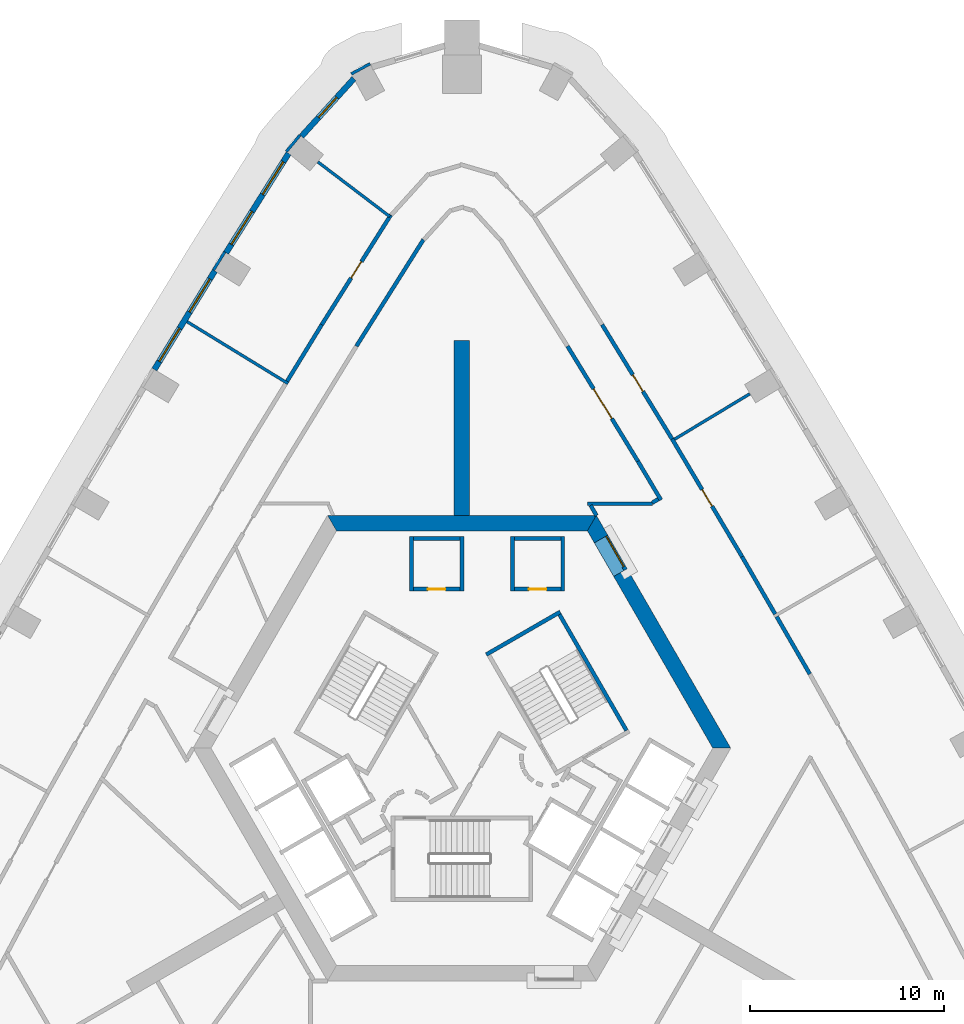
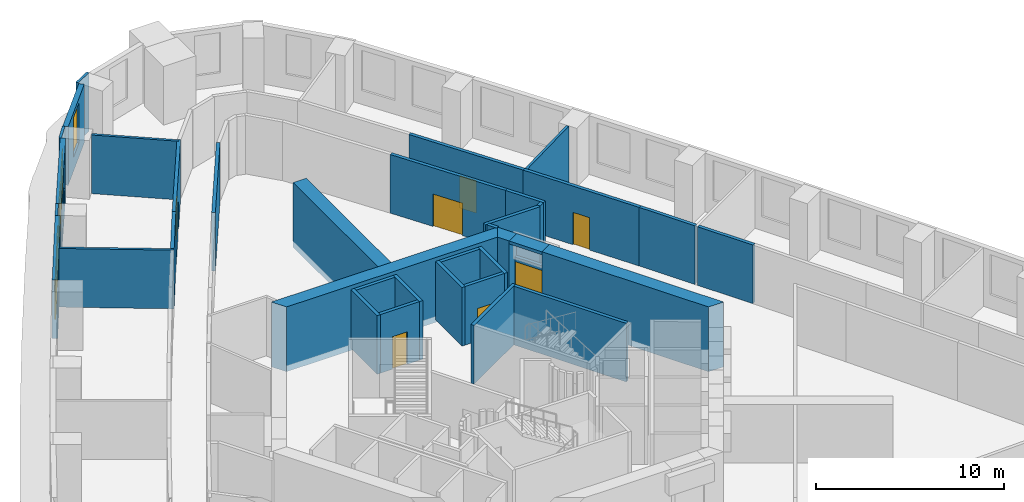
# One storey, part 9 of 17: 37 walls, 7 doors, 5 windows, 12 openings.
"""IFC4 building model written with IfcOpenShell, lengths in metres."""

from ifc_helpers import new_model, si_unit, direction, frame, frame_2d, origin, place, context, subcontext, project, spatial, polyline, rectangle, outline, extrude, material, layer, layer_set, type_object, element, fill, save


model = new_model("IFC4")

# Units and contexts
model_context = context("Model", 3, precision=1e-05, world=origin(), true_north=direction((0.0, 1.0)))
body_context = subcontext(model_context, "Body", "Model", "MODEL_VIEW")
ifc_project = project(units=[si_unit("LENGTHUNIT", "METRE"), si_unit("AREAUNIT", "SQUARE_METRE"), si_unit("VOLUMEUNIT", "CUBIC_METRE"), si_unit("PLANEANGLEUNIT", "RADIAN"), si_unit("MASSUNIT", "GRAM", prefix="KILO")], contexts=[model_context])

# Site, building, storey
site_placement = place(None, origin())
site = spatial("IfcSite", under=ifc_project, at=site_placement, CompositionType="ELEMENT")
building_placement = place(site_placement, origin())
building = spatial("IfcBuilding", under=site, at=building_placement, Name="Entoto Arch Interchange Tower", CompositionType="ELEMENT")
storey_placement = place(building_placement, frame((0.0, 0.0, 167.60009765625)))
storey = spatial("IfcBuildingStorey", under=building, at=storey_placement, Name="L37", CompositionType="ELEMENT", Elevation=167.60009765625)

# Wall
ifc_material_1 = material(Name="Concrete C50/60", Category="concrete")
ifc_layer_1 = layer(ifc_material_1, 0.800048828125)
ifc_layer_set_1 = layer_set([ifc_layer_1], Name="Concrete C50/60")
wall_type_1 = type_object("IfcWallType", Name="Buttress wall 800 C50/60", PredefinedType="SHEAR", material=ifc_layer_set_1)
wall_1_placement = place(storey_placement, frame((0.0, 14.5, -0.400146484375), z_axis=(0.0, 0.0, 1.0), x_axis=(0.0, 1.0, 0.0)))
element("IfcWall", 1, at=wall_1_placement, inside=storey, type_object=wall_type_1, Name="Buttress wall N L37", PredefinedType="SHEAR", context=body_context, shape_type="SweptSolid", body=[
    extrude(rectangle(XDim=9.0, YDim=0.800048828125, at=frame_2d((4.5, 0.0))), origin(), (0.0, 0.0, 1.0), 4.199951171875),
])

# Wall, opening, door
ifc_material_2 = material(Name="Reinforced concrete C40/50", Category="concrete")
ifc_layer_2 = layer(ifc_material_2, 0.199951171875)
ifc_layer_set_2 = layer_set([ifc_layer_2], Name="Reinforced concrete C40/50")
wall_type_2 = type_object("IfcWallType", Name="CORE GAP INFILL WALL", PredefinedType="PARTITIONING", material=ifc_layer_set_2)
wall_2_placement = place(storey_placement, frame((8.429931640625, 11.697998046875, 0.0), z_axis=(0.0, 0.0, 1.0), x_axis=(-0.50002537861, 0.866010750942, 0.0)))
wall_2 = element("IfcWall", 2, at=wall_2_placement, inside=storey, type_object=wall_type_2, Name="wall:L37:gap2", PredefinedType="PARTITIONING", context=body_context, shape_type="SweptSolid", body=[
    extrude(rectangle(XDim=2.0, YDim=0.199951171875, at=frame_2d((1.0, 0.0))), origin(), (0.0, 0.0, 1.0), 2.39990234375),
])
opening_1_placement = place(wall_2_placement, frame((0.18994140625, 0.0, 0.0)))
opening_1 = element("IfcOpeningElement", 3, at=opening_1_placement, cuts=wall_2, Name="Opening L37-D92", PredefinedType="OPENING", context=body_context, shape_type="SweptSolid", body=[
    extrude(rectangle(XDim=1.800048828125, YDim=2.10009765625, at=frame_2d((0.89990234375, 1.050048828125))), frame((0.0, 0.10986328125, 0.0), z_axis=(0.0, -1.0, 0.0), x_axis=(1.0, 0.0, 0.0)), (0.0, 0.0, 1.0), 0.219970703125),
])
ifc_material_3 = material(Name="Fire-rated Steel S235 door and frame", Category="steel")
door_type_1 = type_object("IfcDoorType", Name="DOOR FD-18 1800x2100", OperationType="DOUBLE_DOOR_SINGLE_SWING", PredefinedType="DOOR", material=ifc_material_3)
door_1_placement = place(opening_1_placement, origin())
door_1 = element("IfcDoor", 4, at=door_1_placement, inside=storey, type_object=door_type_1, Name="door:L37:gap2", OperationType="DOUBLE_DOOR_SINGLE_SWING", OverallHeight=2.10009765625, OverallWidth=1.800048828125, PredefinedType="DOOR", context=body_context, shape_type="SweptSolid", body=[
    extrude(rectangle(XDim=1.800048828125, YDim=2.10009765625, at=frame_2d((0.89990234375, 1.050048828125))), frame((0.0, 0.02490234375, 0.0), z_axis=(0.0, -1.0, 0.0), x_axis=(1.0, 0.0, 0.0)), (0.0, 0.0, 1.0), 0.050048828125),
])
fill(opening_1, door_1)

# Walls
ifc_layer_3 = layer(ifc_material_1, 0.800048828125)
ifc_layer_set_3 = layer_set([ifc_layer_3], Name="Concrete C50/60")
wall_type_3 = type_object("IfcWallType", Name="Core wall 800 C50/60", PredefinedType="SHEAR", material=ifc_layer_set_3)
wall_3_placement = place(storey_placement, frame((0.0, 0.0, -0.400146484375)))
element("IfcWall", 5, at=wall_3_placement, inside=storey, type_object=wall_type_3, Name="Core wall NE L37", PredefinedType="SHEAR", context=body_context, shape_type="SweptSolid", body=[
    extrude(outline(polyline([(8.51708984375, 11.748046875), (7.823974609375, 11.347900390625), (12.93310546875, 2.5), (13.85595703125, 2.5), (8.51708984375, 11.748046875)])), origin(), (0.0, 0.0, 1.0), 4.199951171875),
])
wall_4_placement = place(storey_placement, frame((0.0, 0.0, -0.400146484375)))
element("IfcWall", 6, at=wall_4_placement, inside=storey, type_object=wall_type_3, Name="Core wall NE L37", PredefinedType="SHEAR", context=body_context, shape_type="SweptSolid", body=[
    extrude(outline(polyline([(6.823974609375, 13.080078125), (7.51708984375, 13.47998046875), (6.927978515625, 14.5), (6.466064453125, 13.699951171875), (6.823974609375, 13.080078125)])), origin(), (0.0, 0.0, 1.0), 4.199951171875),
])
wall_5_placement = place(storey_placement, frame((0.0, 0.0, 3.599853515625)))
element("IfcWall", 7, at=wall_5_placement, inside=storey, type_object=wall_type_3, Name="Core wall lintel NE L37", PredefinedType="SHEAR", context=body_context, shape_type="SweptSolid", body=[
    extrude(outline(polyline([(7.51708984375, 13.47998046875), (6.823974609375, 13.080078125), (7.823974609375, 11.347900390625), (8.51708984375, 11.748046875), (7.51708984375, 13.47998046875)])), origin(), (0.0, 0.0, 1.0), 0.199951171875),
])
wall_6_placement = place(storey_placement, frame((0.0, 0.0, -0.400146484375)))
element("IfcWall", 8, at=wall_6_placement, inside=storey, type_object=wall_type_3, Name="Core wall N L37", PredefinedType="SHEAR", context=body_context, shape_type="SweptSolid", body=[
    extrude(outline(polyline([(6.927978515625, 14.5), (-6.927978515625, 14.5), (-6.466064453125, 13.699951171875), (6.466064453125, 13.699951171875), (6.927978515625, 14.5)])), origin(), (0.0, 0.0, 1.0), 4.199951171875),
])
ifc_material_4 = material(Name="Gypsum board partition on steel studs", Category="steel")
ifc_layer_4 = layer(ifc_material_4, 0.14990234375)
ifc_layer_set_4 = layer_set([ifc_layer_4], Name="Gypsum board partition on steel studs")
wall_type_4 = type_object("IfcWallType", Name="PARTITION 150", PredefinedType="PARTITIONING", material=ifc_layer_set_4)
wall_7_placement = place(storey_placement, frame((10.95703125, 18.4208984375, 0.0), z_axis=(0.0, 0.0, 1.0), x_axis=(0.85624931053, 0.516562792134, 0.0)))
element("IfcWall", 9, at=wall_7_placement, inside=storey, type_object=wall_type_4, Name="wall:L37:p138", PredefinedType="PARTITIONING", context=body_context, shape_type="SweptSolid", body=[
    extrude(rectangle(XDim=4.530029296875, YDim=0.14990234375, at=frame_2d((2.26513671875, 0.0))), origin(), (0.0, 0.0, 1.0), 3.7998046875),
])
wall_8_placement = place(storey_placement, frame((-3.716064453125, 29.89892578125, 0.0), z_axis=(0.0, 0.0, 1.0), x_axis=(-0.796435085709, 0.604724031481, 0.0)))
element("IfcWall", 10, at=wall_8_placement, inside=storey, type_object=wall_type_4, Name="wall:L37:p140", PredefinedType="PARTITIONING", context=body_context, shape_type="SweptSolid", body=[
    extrude(rectangle(XDim=4.6533203125, YDim=0.14990234375, at=frame_2d((2.32666015625, 0.0))), origin(), (0.0, 0.0, 1.0), 3.7998046875),
])
wall_9_placement = place(storey_placement, frame((-8.964111328125, 21.294921875, 0.0), z_axis=(0.0, 0.0, 1.0), x_axis=(-0.852835298101, 0.522180001832, 0.0)))
element("IfcWall", 11, at=wall_9_placement, inside=storey, type_object=wall_type_4, Name="wall:L37:p141", PredefinedType="PARTITIONING", context=body_context, shape_type="SweptSolid", body=[
    extrude(rectangle(XDim=6.099609375, YDim=0.14990234375, at=frame_2d((3.0498046875, 0.0))), origin(), (0.0, 0.0, 1.0), 3.7998046875),
])
ifc_layer_5 = layer(ifc_material_4, 0.199951171875)
ifc_layer_set_5 = layer_set([ifc_layer_5], Name="Gypsum board partition on steel studs")
wall_type_5 = type_object("IfcWallType", Name="PARTITION 200", PredefinedType="PARTITIONING", material=ifc_layer_set_5)
wall_10_placement = place(storey_placement, frame((6.93701171875, 14.488037109375, 0.0), z_axis=(0.0, 0.0, 1.0), x_axis=(-0.499908430952, 0.866078264744, 0.0)))
element("IfcWall", 12, at=wall_10_placement, inside=storey, type_object=wall_type_5, Name="wall:L37:p005", PredefinedType="PARTITIONING", context=body_context, shape_type="SweptSolid", body=[
    extrude(rectangle(XDim=0.60595703125, YDim=0.199951171875, at=frame_2d((0.302978515625, 0.0))), origin(), (0.0, 0.0, 1.0), 3.7998046875),
])
wall_11_placement = place(storey_placement, frame((6.48388671875, 15.10009765625, 0.0), z_axis=(0.0, 0.0, 1.0), x_axis=(1.0, 0.0, 0.0)))
element("IfcWall", 13, at=wall_11_placement, inside=storey, type_object=wall_type_5, Name="wall:L37:p006", PredefinedType="PARTITIONING", context=body_context, shape_type="SweptSolid", body=[
    extrude(rectangle(XDim=3.339111328125, YDim=0.199951171875, at=frame_2d((1.66943359375, 0.0))), origin(), (0.0, 0.0, 1.0), 3.7998046875),
])
wall_12_placement = place(storey_placement, frame((9.80908203125, 15.14990234375, 0.0), z_axis=(0.0, 0.0, 1.0), x_axis=(0.866479829667, 0.499212083968, 0.0)))
element("IfcWall", 14, at=wall_12_placement, inside=storey, type_object=wall_type_5, Name="wall:L37:p007", PredefinedType="PARTITIONING", context=body_context, shape_type="SweptSolid", body=[
    extrude(rectangle(XDim=0.35888671875, YDim=0.199951171875, at=frame_2d((0.179443359375, 0.0))), origin(), (0.0, 0.0, 1.0), 3.7998046875),
])
wall_13_placement = place(storey_placement, frame((10.257080078125, 15.29296875, 0.0), z_axis=(0.0, 0.0, 1.0), x_axis=(-0.510974411771, 0.859595922812, 0.0)))
element("IfcWall", 15, at=wall_13_placement, inside=storey, type_object=wall_type_5, Name="wall:L37:p008", PredefinedType="PARTITIONING", context=body_context, shape_type="SweptSolid", body=[
    extrude(rectangle(XDim=2.3173828125, YDim=0.199951171875, at=frame_2d((1.15869140625, 0.0))), origin(), (0.0, 0.0, 1.0), 3.7998046875),
])

# Wall, opening, door
wall_14_placement = place(storey_placement, frame((9.072998046875, 17.284912109375, 0.0), z_axis=(0.0, 0.0, 1.0), x_axis=(-0.522108536257, 0.85287905143, 0.0)))
wall_14 = element("IfcWall", 16, at=wall_14_placement, inside=storey, type_object=wall_type_5, Name="wall:L37:p009", PredefinedType="PARTITIONING", context=body_context, shape_type="SweptSolid", body=[
    extrude(rectangle(XDim=6.95654296875, YDim=0.199951171875, at=frame_2d((3.478271484375, 0.0))), origin(), (0.0, 0.0, 1.0), 3.7998046875),
])
opening_2_placement = place(wall_14_placement, frame((2.577880859375, 0.0, 0.0)))
opening_2 = element("IfcOpeningElement", 17, at=opening_2_placement, cuts=wall_14, Name="Opening L37-D16", PredefinedType="OPENING", context=body_context, shape_type="SweptSolid", body=[
    extrude(rectangle(XDim=1.800048828125, YDim=2.10009765625, at=frame_2d((0.89990234375, 1.050048828125))), frame((0.0, 0.10986328125, 0.0), z_axis=(0.0, -1.0, 0.0), x_axis=(1.0, 0.0, 0.0)), (0.0, 0.0, 1.0), 0.219970703125),
])
ifc_material_5 = material(Name="Timber door leaf in Steel S235 frame", Category="steel")
door_type_2 = type_object("IfcDoorType", Name="DOOR DD-18 1800x2100", OperationType="DOUBLE_DOOR_SINGLE_SWING", PredefinedType="DOOR", material=ifc_material_5)
door_2_placement = place(opening_2_placement, origin())
door_2 = element("IfcDoor", 18, at=door_2_placement, inside=storey, type_object=door_type_2, Name="door:L37:16", OperationType="DOUBLE_DOOR_SINGLE_SWING", OverallHeight=2.10009765625, OverallWidth=1.800048828125, PredefinedType="DOOR", context=body_context, shape_type="SweptSolid", body=[
    extrude(rectangle(XDim=1.800048828125, YDim=2.10009765625, at=frame_2d((0.89990234375, 1.050048828125))), frame((0.0, 0.02490234375, 0.0), z_axis=(0.0, -1.0, 0.0), x_axis=(1.0, 0.0, 0.0)), (0.0, 0.0, 1.0), 0.050048828125),
])
fill(opening_2, door_2)

# Walls
wall_15_placement = place(storey_placement, frame((-1.98388671875, 28.708984375, 0.0), z_axis=(0.0, 0.0, 1.0), x_axis=(-0.532786324951, -0.846249804694, 0.0)))
element("IfcWall", 19, at=wall_15_placement, inside=storey, type_object=wall_type_5, Name="wall:L37:p015", PredefinedType="PARTITIONING", context=body_context, shape_type="SweptSolid", body=[
    extrude(rectangle(XDim=6.488525390625, YDim=0.199951171875, at=frame_2d((3.244140625, 0.0))), origin(), (0.0, 0.0, 1.0), 3.7998046875),
])
wall_16_placement = place(storey_placement, frame((16.221923828125, 9.280029296875, 0.0), z_axis=(0.0, 0.0, 1.0), x_axis=(0.499920397431, -0.866071357471, 0.0)))
element("IfcWall", 20, at=wall_16_placement, inside=storey, type_object=wall_type_5, Name="wall:L37:p052", PredefinedType="PARTITIONING", context=body_context, shape_type="SweptSolid", body=[
    extrude(rectangle(XDim=3.41650390625, YDim=0.199951171875, at=frame_2d((1.708251953125, 0.0))), origin(), (0.0, 0.0, 1.0), 3.7998046875),
])

# Wall, opening, door
wall_17_placement = place(storey_placement, frame((10.8330078125, 18.43408203125, 0.0), z_axis=(0.0, 0.0, 1.0), x_axis=(0.510975915649, -0.859595028852, 0.0)))
wall_17 = element("IfcWall", 21, at=wall_17_placement, inside=storey, type_object=wall_type_5, Name="wall:L37:p055", PredefinedType="PARTITIONING", context=body_context, shape_type="SweptSolid", body=[
    extrude(rectangle(XDim=7.056884765625, YDim=0.199951171875, at=frame_2d((3.5283203125, 0.0))), origin(), (0.0, 0.0, 1.0), 3.7998046875),
])
opening_3_placement = place(wall_17_placement, frame((3.028076171875, 0.0, 0.0)))
opening_3 = element("IfcOpeningElement", 22, at=opening_3_placement, cuts=wall_17, Name="Opening L37-D05", PredefinedType="OPENING", context=body_context, shape_type="SweptSolid", body=[
    extrude(rectangle(XDim=1.0, YDim=2.10009765625, at=frame_2d((0.5, 1.050048828125))), frame((0.0, 0.10986328125, 0.0), z_axis=(0.0, -1.0, 0.0), x_axis=(1.0, 0.0, 0.0)), (0.0, 0.0, 1.0), 0.219970703125),
])
door_type_3 = type_object("IfcDoorType", Name="DOOR DS-10 1000x2100", OperationType="SINGLE_SWING_LEFT", PredefinedType="DOOR", material=ifc_material_5)
door_3_placement = place(opening_3_placement, origin())
door_3 = element("IfcDoor", 23, at=door_3_placement, inside=storey, type_object=door_type_3, Name="door:L37:05", OperationType="SINGLE_SWING_LEFT", OverallHeight=2.10009765625, OverallWidth=1.0, PredefinedType="DOOR", context=body_context, shape_type="SweptSolid", body=[
    extrude(rectangle(XDim=1.0, YDim=2.10009765625, at=frame_2d((0.5, 1.050048828125))), frame((0.0, 0.02490234375, 0.0), z_axis=(0.0, -1.0, 0.0), x_axis=(1.0, 0.0, 0.0)), (0.0, 0.0, 1.0), 0.050048828125),
])
fill(opening_3, door_3)

# Wall
wall_18_placement = place(storey_placement, frame((14.43896484375, 12.367919921875, 0.0), z_axis=(0.0, 0.0, 1.0), x_axis=(0.500044178772, -0.865999895656, 0.0)))
element("IfcWall", 24, at=wall_18_placement, inside=storey, type_object=wall_type_5, Name="wall:L37:p056", PredefinedType="PARTITIONING", context=body_context, shape_type="SweptSolid", body=[
    extrude(rectangle(XDim=3.415771484375, YDim=0.199951171875, at=frame_2d((1.7080078125, 0.0))), origin(), (0.0, 0.0, 1.0), 3.7998046875),
])

# Wall, opening, door
wall_19_placement = place(storey_placement, frame((7.22607421875, 24.325927734375, 0.0), z_axis=(0.0, 0.0, 1.0), x_axis=(0.52212028524, -0.852871858922, 0.0)))
wall_19 = element("IfcWall", 25, at=wall_19_placement, inside=storey, type_object=wall_type_5, Name="wall:L37:p058", PredefinedType="PARTITIONING", context=body_context, shape_type="SweptSolid", body=[
    extrude(rectangle(XDim=6.908203125, YDim=0.199951171875, at=frame_2d((3.4541015625, 0.0))), origin(), (0.0, 0.0, 1.0), 3.7998046875),
])
opening_4_placement = place(wall_19_placement, frame((3.029052734375, 0.0, 0.0)))
opening_4 = element("IfcOpeningElement", 26, at=opening_4_placement, cuts=wall_19, Name="Opening L37-D06", PredefinedType="OPENING", context=body_context, shape_type="SweptSolid", body=[
    extrude(rectangle(XDim=1.0, YDim=2.10009765625, at=frame_2d((0.5, 1.050048828125))), frame((0.0, 0.10986328125, 0.0), z_axis=(0.0, -1.0, 0.0), x_axis=(1.0, 0.0, 0.0)), (0.0, 0.0, 1.0), 0.219970703125),
])
door_4_placement = place(opening_4_placement, origin())
door_4 = element("IfcDoor", 27, at=door_4_placement, inside=storey, type_object=door_type_3, Name="door:L37:06", OperationType="SINGLE_SWING_RIGHT", OverallHeight=2.10009765625, OverallWidth=1.0, PredefinedType="DOOR", context=body_context, shape_type="SweptSolid", body=[
    extrude(rectangle(XDim=1.0, YDim=2.10009765625, at=frame_2d((0.5, 1.050048828125))), frame((0.0, 0.02490234375, 0.0), z_axis=(0.0, -1.0, 0.0), x_axis=(1.0, 0.0, 0.0)), (0.0, 0.0, 1.0), 0.050048828125),
])
fill(opening_4, door_4)

# Wall
wall_20_placement = place(storey_placement, frame((-9.010009765625, 21.410888671875, 0.0), z_axis=(0.0, 0.0, 1.0), x_axis=(0.52198736623, 0.852953216476, 0.0)))
element("IfcWall", 28, at=wall_20_placement, inside=storey, type_object=wall_type_5, Name="wall:L37:p063", PredefinedType="PARTITIONING", context=body_context, shape_type="SweptSolid", body=[
    extrude(rectangle(XDim=3.41748046875, YDim=0.199951171875, at=frame_2d((1.708740234375, 0.0))), origin(), (0.0, 0.0, 1.0), 3.7998046875),
])

# Wall, opening, door
wall_21_placement = place(storey_placement, frame((-7.22607421875, 24.325927734375, 0.0), z_axis=(0.0, 0.0, 1.0), x_axis=(0.532874279134, 0.846194423662, 0.0)))
wall_21 = element("IfcWall", 29, at=wall_21_placement, inside=storey, type_object=wall_type_5, Name="wall:L37:p064", PredefinedType="PARTITIONING", context=body_context, shape_type="SweptSolid", body=[
    extrude(rectangle(XDim=6.686279296875, YDim=0.199951171875, at=frame_2d((3.34326171875, 0.0))), origin(), (0.0, 0.0, 1.0), 3.7998046875),
])
opening_5_placement = place(wall_21_placement, frame((2.843017578125, 0.0, 0.0)))
opening_5 = element("IfcOpeningElement", 30, at=opening_5_placement, cuts=wall_21, Name="Opening L37-D08", PredefinedType="OPENING", context=body_context, shape_type="SweptSolid", body=[
    extrude(rectangle(XDim=1.0, YDim=2.10009765625, at=frame_2d((0.5, 1.050048828125))), frame((0.0, 0.10986328125, 0.0), z_axis=(0.0, -1.0, 0.0), x_axis=(1.0, 0.0, 0.0)), (0.0, 0.0, 1.0), 0.219970703125),
])
door_5_placement = place(opening_5_placement, origin())
door_5 = element("IfcDoor", 31, at=door_5_placement, inside=storey, type_object=door_type_3, Name="door:L37:08", OperationType="SINGLE_SWING_LEFT", OverallHeight=2.10009765625, OverallWidth=1.0, PredefinedType="DOOR", context=body_context, shape_type="SweptSolid", body=[
    extrude(rectangle(XDim=1.0, YDim=2.10009765625, at=frame_2d((0.5, 1.050048828125))), frame((0.0, 0.02490234375, 0.0), z_axis=(0.0, -1.0, 0.0), x_axis=(1.0, 0.0, 0.0)), (0.0, 0.0, 1.0), 0.050048828125),
])
fill(opening_5, door_5)

# Wall
wall_22_placement = place(storey_placement, frame((5.199951171875, 13.39990234375, 0.0), z_axis=(0.0, 0.0, 1.0), x_axis=(0.0, -1.0, 0.0)))
element("IfcWall", 32, at=wall_22_placement, inside=storey, type_object=wall_type_5, Name="wall:L37:p078", PredefinedType="PARTITIONING", context=body_context, shape_type="SweptSolid", body=[
    extrude(rectangle(XDim=2.7998046875, YDim=0.199951171875, at=frame_2d((1.39990234375, 0.0))), origin(), (0.0, 0.0, 1.0), 3.7998046875),
])

# Wall, opening, door
wall_23_placement = place(storey_placement, frame((5.10009765625, 10.699951171875, 0.0), z_axis=(0.0, 0.0, 1.0), x_axis=(-1.0, 0.0, 0.0)))
wall_23 = element("IfcWall", 33, at=wall_23_placement, inside=storey, type_object=wall_type_5, Name="wall:L37:p079", PredefinedType="PARTITIONING", context=body_context, shape_type="SweptSolid", body=[
    extrude(rectangle(XDim=2.400146484375, YDim=0.199951171875, at=frame_2d((1.2001953125, 0.0))), origin(), (0.0, 0.0, 1.0), 3.7998046875),
])
opening_6_placement = place(wall_23_placement, frame((0.75, 0.0, 0.0)))
opening_6 = element("IfcOpeningElement", 34, at=opening_6_placement, cuts=wall_23, Name="Opening L37-D27", PredefinedType="OPENING", context=body_context, shape_type="SweptSolid", body=[
    extrude(rectangle(XDim=0.89990234375, YDim=2.10009765625, at=frame_2d((0.449951171875, 1.050048828125))), frame((0.0, 0.10986328125, 0.0), z_axis=(0.0, -1.0, 0.0), x_axis=(1.0, 0.0, 0.0)), (0.0, 0.0, 1.0), 0.219970703125),
])
door_type_4 = type_object("IfcDoorType", Name="DOOR DS-09 900x2100", OperationType="SINGLE_SWING_LEFT", PredefinedType="DOOR", material=ifc_material_5)
door_6_placement = place(opening_6_placement, origin())
door_6 = element("IfcDoor", 35, at=door_6_placement, inside=storey, type_object=door_type_4, Name="door:L37:27", OperationType="SINGLE_SWING_RIGHT", OverallHeight=2.10009765625, OverallWidth=0.89990234375, PredefinedType="DOOR", context=body_context, shape_type="SweptSolid", body=[
    extrude(rectangle(XDim=0.89990234375, YDim=2.10009765625, at=frame_2d((0.449951171875, 1.050048828125))), frame((0.0, 0.02490234375, 0.0), z_axis=(0.0, -1.0, 0.0), x_axis=(1.0, 0.0, 0.0)), (0.0, 0.0, 1.0), 0.050048828125),
])
fill(opening_6, door_6)

# Walls
wall_24_placement = place(storey_placement, frame((2.60009765625, 10.60009765625, 0.0), z_axis=(0.0, 0.0, 1.0), x_axis=(0.0, 1.0, 0.0)))
element("IfcWall", 36, at=wall_24_placement, inside=storey, type_object=wall_type_5, Name="wall:L37:p080", PredefinedType="PARTITIONING", context=body_context, shape_type="SweptSolid", body=[
    extrude(rectangle(XDim=2.7998046875, YDim=0.199951171875, at=frame_2d((1.39990234375, 0.0))), origin(), (0.0, 0.0, 1.0), 3.7998046875),
])
wall_25_placement = place(storey_placement, frame((2.699951171875, 13.300048828125, 0.0), z_axis=(0.0, 0.0, 1.0), x_axis=(1.0, 0.0, 0.0)))
element("IfcWall", 37, at=wall_25_placement, inside=storey, type_object=wall_type_5, Name="wall:L37:p081", PredefinedType="PARTITIONING", context=body_context, shape_type="SweptSolid", body=[
    extrude(rectangle(XDim=2.400146484375, YDim=0.199951171875, at=frame_2d((1.2001953125, 0.0))), origin(), (0.0, 0.0, 1.0), 3.7998046875),
])
wall_26_placement = place(storey_placement, frame((0.0, 13.39990234375, 0.0), z_axis=(0.0, 0.0, 1.0), x_axis=(0.0, -1.0, 0.0)))
element("IfcWall", 38, at=wall_26_placement, inside=storey, type_object=wall_type_5, Name="wall:L37:p082", PredefinedType="PARTITIONING", context=body_context, shape_type="SweptSolid", body=[
    extrude(rectangle(XDim=2.7998046875, YDim=0.199951171875, at=frame_2d((1.39990234375, 0.0))), origin(), (0.0, 0.0, 1.0), 3.7998046875),
])

# Wall, opening, door
wall_27_placement = place(storey_placement, frame((-0.10009765625, 10.699951171875, 0.0), z_axis=(0.0, 0.0, 1.0), x_axis=(-1.0, 0.0, 0.0)))
wall_27 = element("IfcWall", 39, at=wall_27_placement, inside=storey, type_object=wall_type_5, Name="wall:L37:p083", PredefinedType="PARTITIONING", context=body_context, shape_type="SweptSolid", body=[
    extrude(rectangle(XDim=2.39990234375, YDim=0.199951171875, at=frame_2d((1.199951171875, 0.0))), origin(), (0.0, 0.0, 1.0), 3.7998046875),
])
opening_7_placement = place(wall_27_placement, frame((0.75, 0.0, 0.0)))
opening_7 = element("IfcOpeningElement", 40, at=opening_7_placement, cuts=wall_27, Name="Opening L37-D28", PredefinedType="OPENING", context=body_context, shape_type="SweptSolid", body=[
    extrude(rectangle(XDim=0.89990234375, YDim=2.10009765625, at=frame_2d((0.449951171875, 1.050048828125))), frame((0.0, 0.10986328125, 0.0), z_axis=(0.0, -1.0, 0.0), x_axis=(1.0, 0.0, 0.0)), (0.0, 0.0, 1.0), 0.219970703125),
])
door_7_placement = place(opening_7_placement, origin())
door_7 = element("IfcDoor", 41, at=door_7_placement, inside=storey, type_object=door_type_4, Name="door:L37:28", OperationType="SINGLE_SWING_RIGHT", OverallHeight=2.10009765625, OverallWidth=0.89990234375, PredefinedType="DOOR", context=body_context, shape_type="SweptSolid", body=[
    extrude(rectangle(XDim=0.89990234375, YDim=2.10009765625, at=frame_2d((0.449951171875, 1.050048828125))), frame((0.0, 0.02490234375, 0.0), z_axis=(0.0, -1.0, 0.0), x_axis=(1.0, 0.0, 0.0)), (0.0, 0.0, 1.0), 0.050048828125),
])
fill(opening_7, door_7)

# Walls
wall_28_placement = place(storey_placement, frame((-2.60009765625, 10.60009765625, 0.0), z_axis=(0.0, 0.0, 1.0), x_axis=(0.0, 1.0, 0.0)))
element("IfcWall", 42, at=wall_28_placement, inside=storey, type_object=wall_type_5, Name="wall:L37:p084", PredefinedType="PARTITIONING", context=body_context, shape_type="SweptSolid", body=[
    extrude(rectangle(XDim=2.7998046875, YDim=0.199951171875, at=frame_2d((1.39990234375, 0.0))), origin(), (0.0, 0.0, 1.0), 3.7998046875),
])
wall_29_placement = place(storey_placement, frame((-2.5, 13.300048828125, 0.0), z_axis=(0.0, 0.0, 1.0), x_axis=(1.0, 0.0, 0.0)))
element("IfcWall", 43, at=wall_29_placement, inside=storey, type_object=wall_type_5, Name="wall:L37:p085", PredefinedType="PARTITIONING", context=body_context, shape_type="SweptSolid", body=[
    extrude(rectangle(XDim=2.39990234375, YDim=0.199951171875, at=frame_2d((1.199951171875, 0.0))), origin(), (0.0, 0.0, 1.0), 3.7998046875),
])
ifc_material_6 = material(Name="Concrete C40/50", Category="concrete")
ifc_layer_6 = layer(ifc_material_6, 0.199951171875)
ifc_layer_set_6 = layer_set([ifc_layer_6], Name="Concrete C40/50")
wall_type_6 = type_object("IfcWallType", Name="STAIR ENCLOSURE WALL 200", PredefinedType="STANDARD", material=ifc_layer_set_6)
wall_30_placement = place(storey_placement, frame((1.256103515625, 7.323974609375, 0.0), z_axis=(0.0, 0.0, 1.0), x_axis=(0.866046073146, 0.499964197906, 0.0)))
element("IfcWall", 44, at=wall_30_placement, inside=storey, type_object=wall_type_6, Name="Stair wall ST-NE far", PredefinedType="STANDARD", context=body_context, shape_type="SweptSolid", body=[
    extrude(rectangle(XDim=4.400146484375, YDim=0.199951171875, at=frame_2d((2.2001953125, 0.0))), origin(), (0.0, 0.0, 1.0), 3.7998046875),
])
wall_31_placement = place(storey_placement, frame((8.47998046875, 3.412109375, 0.0), z_axis=(0.0, 0.0, 1.0), x_axis=(-0.499978703459, 0.866037698999, 0.0)))
element("IfcWall", 45, at=wall_31_placement, inside=storey, type_object=wall_type_6, Name="Stair wall ST-NE back", PredefinedType="STANDARD", context=body_context, shape_type="SweptSolid", body=[
    extrude(rectangle(XDim=6.900146484375, YDim=0.199951171875, at=frame_2d((3.4501953125, 0.0))), origin(), (0.0, 0.0, 1.0), 3.7998046875),
])

# Wall, opening, window
ifc_material_7 = material(Name="Welded tuff (ignimbrite) cladding, warm buff", Category="masonry")
ifc_layer_7 = layer(ifc_material_7, 0.300048828125)
ifc_layer_set_7 = layer_set([ifc_layer_7], Name="Welded tuff (ignimbrite) cladding, warm buff")
wall_type_7 = type_object("IfcWallType", Name="STONE INFILL WALL 300", PredefinedType="STANDARD", material=ifc_layer_set_7)
wall_32_placement = place(storey_placement, frame((-5.568115234375, 37.010009765625, 0.0), z_axis=(0.0, 0.0, 1.0), x_axis=(-0.672034341329, -0.740519982225, 0.0)))
wall_32 = element("IfcWall", 46, at=wall_32_placement, inside=storey, type_object=wall_type_7, Name="Facade wall N-04 L37", PredefinedType="STANDARD", context=body_context, shape_type="SweptSolid", body=[
    extrude(rectangle(XDim=4.017578125, YDim=0.300048828125, at=frame_2d((2.0087890625, 0.0))), origin(), (0.0, 0.0, 1.0), 3.7998046875),
])
opening_8_placement = place(wall_32_placement, frame((1.30908203125, 0.0, 0.89990234375)))
opening_8 = element("IfcOpeningElement", 47, at=opening_8_placement, cuts=wall_32, Name="Opening WO-B", PredefinedType="OPENING", context=body_context, shape_type="SweptSolid", body=[
    extrude(rectangle(XDim=1.39990234375, YDim=2.60009765625, at=frame_2d((0.699951171875, 1.300048828125))), frame((0.0, 0.16015625, 0.0), z_axis=(0.0, -1.0, 0.0), x_axis=(1.0, 0.0, 0.0)), (0.0, 0.0, 1.0), 0.320068359375),
])
ifc_material_8 = material(Name="Clear glass, low-e double glazed", Category="glass")
window_type_1 = type_object("IfcWindowType", Name="WINDOW WO-B 1400x2600", PartitioningType="DOUBLE_PANEL_VERTICAL", PredefinedType="WINDOW", material=ifc_material_8)
window_1_placement = place(opening_8_placement, origin())
window_1 = element("IfcWindow", 48, at=window_1_placement, inside=storey, type_object=window_type_1, Name="Window WO-B N-04 L37", OverallHeight=2.60009765625, OverallWidth=1.39990234375, PartitioningType="SINGLE_PANEL", PredefinedType="WINDOW", context=body_context, shape_type="SweptSolid", body=[
    extrude(rectangle(XDim=1.39990234375, YDim=2.60009765625, at=frame_2d((0.699951171875, 1.300048828125))), frame((0.0, 0.030029296875, 0.0), z_axis=(0.0, -1.0, 0.0), x_axis=(1.0, 0.0, 0.0)), (0.0, 0.0, 1.0), 0.06005859375),
])
fill(opening_8, window_1)

# Wall, openings, windows
wall_33_placement = place(storey_placement, frame((-8.931884765625, 33.158935546875, 0.0), z_axis=(0.0, 0.0, 1.0), x_axis=(-0.532721310512, -0.846290733334, 0.0)))
wall_33 = element("IfcWall", 49, at=wall_33_placement, inside=storey, type_object=wall_type_7, Name="Facade wall NW-01 L37", PredefinedType="STANDARD", context=body_context, shape_type="SweptSolid", body=[
    extrude(rectangle(XDim=6.055908203125, YDim=0.300048828125, at=frame_2d((3.02783203125, 0.0))), origin(), (0.0, 0.0, 1.0), 3.7998046875),
])
opening_9_placement = place(wall_33_placement, frame((0.513916015625, 0.0, 0.89990234375)))
opening_9 = element("IfcOpeningElement", 50, at=opening_9_placement, cuts=wall_33, Name="Opening WO-C", PredefinedType="OPENING", context=body_context, shape_type="SweptSolid", body=[
    extrude(rectangle(XDim=2.0, YDim=2.60009765625, at=frame_2d((1.0, 1.300048828125))), frame((0.0, 0.16015625, 0.0), z_axis=(0.0, -1.0, 0.0), x_axis=(1.0, 0.0, 0.0)), (0.0, 0.0, 1.0), 0.320068359375),
])
opening_10_placement = place(wall_33_placement, frame((3.5419921875, 0.0, 0.89990234375)))
opening_10 = element("IfcOpeningElement", 51, at=opening_10_placement, cuts=wall_33, Name="Opening WO-C", PredefinedType="OPENING", context=body_context, shape_type="SweptSolid", body=[
    extrude(rectangle(XDim=2.0, YDim=2.60009765625, at=frame_2d((1.0, 1.300048828125))), frame((0.0, 0.16015625, 0.0), z_axis=(0.0, -1.0, 0.0), x_axis=(1.0, 0.0, 0.0)), (0.0, 0.0, 1.0), 0.320068359375),
])
window_type_2 = type_object("IfcWindowType", Name="WINDOW WO-C 2000x2600", PartitioningType="DOUBLE_PANEL_VERTICAL", PredefinedType="WINDOW", material=ifc_material_8)
window_2_placement = place(opening_9_placement, origin())
window_2 = element("IfcWindow", 52, at=window_2_placement, inside=storey, type_object=window_type_2, Name="Window WO-C NW-01 L37", OverallHeight=2.60009765625, OverallWidth=2.0, PartitioningType="SINGLE_PANEL", PredefinedType="WINDOW", context=body_context, shape_type="SweptSolid", body=[
    extrude(rectangle(XDim=2.0, YDim=2.60009765625, at=frame_2d((1.0, 1.300048828125))), frame((0.0, 0.030029296875, 0.0), z_axis=(0.0, -1.0, 0.0), x_axis=(1.0, 0.0, 0.0)), (0.0, 0.0, 1.0), 0.06005859375),
])
fill(opening_9, window_2)
window_3_placement = place(opening_10_placement, origin())
window_3 = element("IfcWindow", 53, at=window_3_placement, inside=storey, type_object=window_type_2, Name="Window WO-C NW-01 L37", OverallHeight=2.60009765625, OverallWidth=2.0, PartitioningType="SINGLE_PANEL", PredefinedType="WINDOW", context=body_context, shape_type="SweptSolid", body=[
    extrude(rectangle(XDim=2.0, YDim=2.60009765625, at=frame_2d((1.0, 1.300048828125))), frame((0.0, 0.030029296875, 0.0), z_axis=(0.0, -1.0, 0.0), x_axis=(1.0, 0.0, 0.0)), (0.0, 0.0, 1.0), 0.06005859375),
])
fill(opening_10, window_3)

wall_34_placement = place(storey_placement, frame((-12.737060546875, 27.10107421875, 0.0), z_axis=(0.0, 0.0, 1.0), x_axis=(-0.522156898008, -0.852849443842, 0.0)))
wall_34 = element("IfcWall", 54, at=wall_34_placement, inside=storey, type_object=wall_type_7, Name="Facade wall NW-02 L37", PredefinedType="STANDARD", context=body_context, shape_type="SweptSolid", body=[
    extrude(rectangle(XDim=5.9638671875, YDim=0.300048828125, at=frame_2d((2.98193359375, 0.0))), origin(), (0.0, 0.0, 1.0), 3.7998046875),
])
opening_11_placement = place(wall_34_placement, frame((0.490966796875, 0.0, 0.89990234375)))
opening_11 = element("IfcOpeningElement", 55, at=opening_11_placement, cuts=wall_34, Name="Opening WO-C", PredefinedType="OPENING", context=body_context, shape_type="SweptSolid", body=[
    extrude(rectangle(XDim=2.0, YDim=2.60009765625, at=frame_2d((1.0, 1.300048828125))), frame((0.0, 0.16015625, 0.0), z_axis=(0.0, -1.0, 0.0), x_axis=(1.0, 0.0, 0.0)), (0.0, 0.0, 1.0), 0.320068359375),
])
opening_12_placement = place(wall_34_placement, frame((3.472900390625, 0.0, 0.89990234375)))
opening_12 = element("IfcOpeningElement", 56, at=opening_12_placement, cuts=wall_34, Name="Opening WO-C", PredefinedType="OPENING", context=body_context, shape_type="SweptSolid", body=[
    extrude(rectangle(XDim=2.0, YDim=2.60009765625, at=frame_2d((1.0, 1.300048828125))), frame((0.0, 0.16015625, 0.0), z_axis=(0.0, -1.0, 0.0), x_axis=(1.0, 0.0, 0.0)), (0.0, 0.0, 1.0), 0.320068359375),
])
window_4_placement = place(opening_11_placement, origin())
window_4 = element("IfcWindow", 57, at=window_4_placement, inside=storey, type_object=window_type_2, Name="Window WO-C NW-02 L37", OverallHeight=2.60009765625, OverallWidth=2.0, PartitioningType="SINGLE_PANEL", PredefinedType="WINDOW", context=body_context, shape_type="SweptSolid", body=[
    extrude(rectangle(XDim=2.0, YDim=2.60009765625, at=frame_2d((1.0, 1.300048828125))), frame((0.0, 0.030029296875, 0.0), z_axis=(0.0, -1.0, 0.0), x_axis=(1.0, 0.0, 0.0)), (0.0, 0.0, 1.0), 0.06005859375),
])
fill(opening_11, window_4)
window_5_placement = place(opening_12_placement, origin())
window_5 = element("IfcWindow", 58, at=window_5_placement, inside=storey, type_object=window_type_2, Name="Window WO-C NW-02 L37", OverallHeight=2.60009765625, OverallWidth=2.0, PartitioningType="SINGLE_PANEL", PredefinedType="WINDOW", context=body_context, shape_type="SweptSolid", body=[
    extrude(rectangle(XDim=2.0, YDim=2.60009765625, at=frame_2d((1.0, 1.300048828125))), frame((0.0, 0.030029296875, 0.0), z_axis=(0.0, -1.0, 0.0), x_axis=(1.0, 0.0, 0.0)), (0.0, 0.0, 1.0), 0.06005859375),
])
fill(opening_12, window_5)

# Walls
ifc_layer_8 = layer(ifc_material_7, 0.14990234375)
ifc_layer_set_8 = layer_set([ifc_layer_8], Name="Welded tuff (ignimbrite) cladding, warm buff")
wall_type_8 = type_object("IfcWallType", Name="STONE PIER CLADDING 150", PredefinedType="STANDARD", material=ifc_layer_set_8)
wall_35_placement = place(storey_placement, frame((-4.73388671875, 37.778076171875, 0.0), z_axis=(0.0, 0.0, 1.0), x_axis=(-0.877836219403, -0.478960929414, 0.0)))
element("IfcWall", 59, at=wall_35_placement, inside=storey, type_object=wall_type_8, Name="Stone pier N3 L37", PredefinedType="STANDARD", context=body_context, shape_type="SweptSolid", body=[
    extrude(rectangle(XDim=1.1005859375, YDim=0.14990234375, at=frame_2d((0.55029296875, 0.0))), origin(), (0.0, 0.0, 1.0), 3.7998046875),
])
for number, where, z_axis, x_axis, name in (
    (60, (-8.343994140625, 34.09912109375, 0.0), (0.0, 0.0, 1.0), (-0.639092407347, -0.769129959676, 0.0), "Stone pier NW01 L37"),
    (61, (-12.222900390625, 28.075927734375, 0.0), (0.0, 0.0, 1.0), (-0.52997899071, -0.848010771987, 0.0), "Stone pier NW02 L37"),
):
    element("IfcWall", number, at=place(storey_placement, frame(where, z_axis=z_axis, x_axis=x_axis)), inside=storey, type_object=wall_type_8, Name=name, PredefinedType="STANDARD", context=body_context, shape_type="SweptSolid", body=[
        extrude(rectangle(XDim=1.10009765625, YDim=0.14990234375, at=frame_2d((0.550048828125, 0.0))), origin(), (0.0, 0.0, 1.0), 3.7998046875),
    ])

save(model, "model.ifc")
